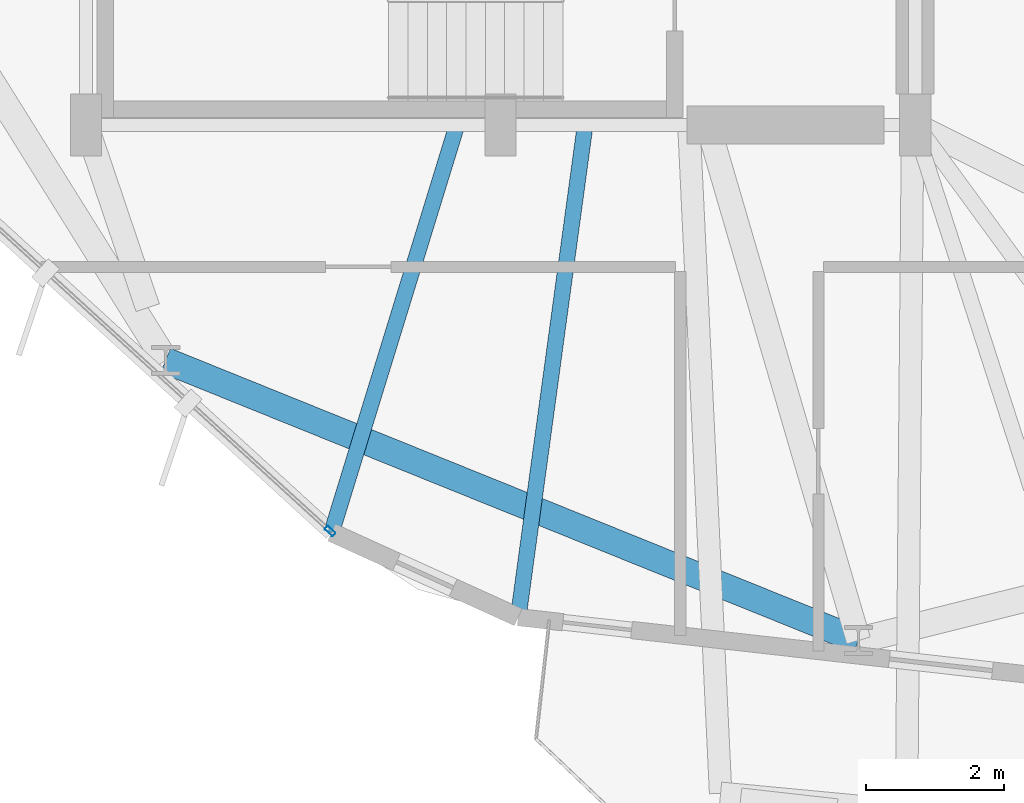
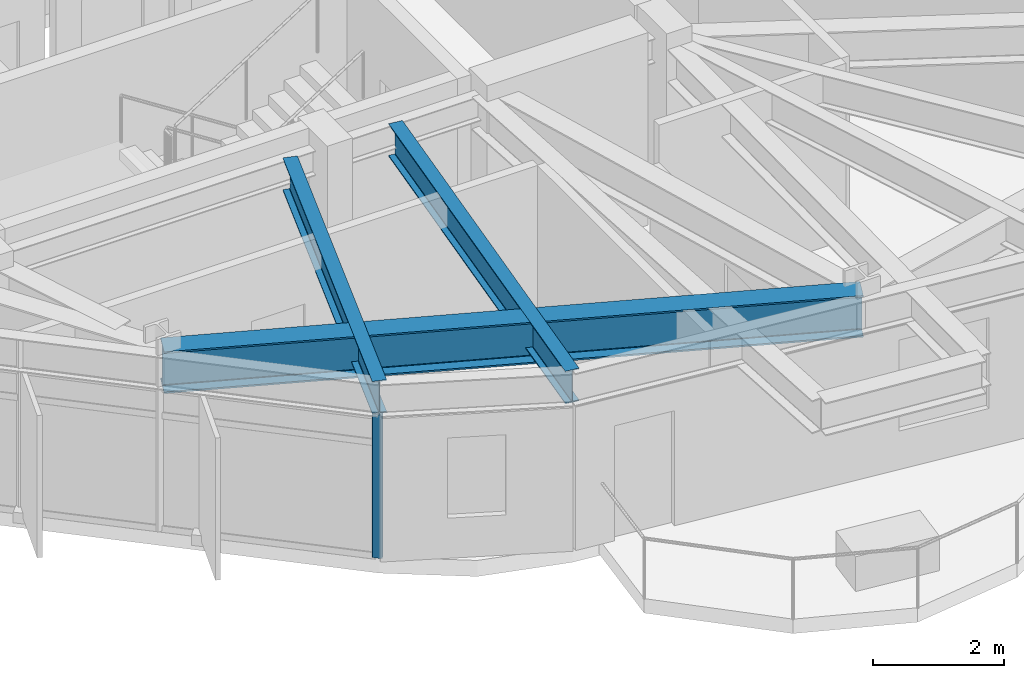
# One storey, part 2 of 22: 3 beams, 1 member, 1 element without a shape of its own.
"""IFC4 building model written with IfcOpenShell, lengths in metres."""

import ifcopenshell
import ifcopenshell.guid

model = None  # the IFC model being written
_history = None  # IfcOwnerHistory: only IFC2X3 demands one
_inside = {}  # id of a spatial element -> (the spatial element, [elements in it])
_under = {}  # id of a project, library or spatial element -> (it, [spatial elements below it])
_declared = {}  # id of a project -> (the project, [libraries it declares])
_typed = {}  # id of a type object -> (the type object, [elements of that type])
_made_of = {}  # id of a material, layer set ... -> (it, [elements and type objects made of it])


def new_model(schema):
    """Start an empty IFC model of exactly this schema.

    Asked for "IFC4X3", IfcOpenShell would pick the latest addendum, in which some entities
    have other attributes; the version numbers below select the first issue.
    IFC2X3 requires an IfcOwnerHistory on every rooted entity: one is made here for all.
    """
    global model, _history
    if schema == "IFC4X3":
        model = ifcopenshell.file(schema_version=(4, 3, 0, 0))
    else:
        model = ifcopenshell.file(schema=schema)
    _inside.clear()
    _under.clear()
    _declared.clear()
    _typed.clear()
    _made_of.clear()
    _history = None
    if model.schema == "IFC2X3":
        org = make("IfcOrganization", Name="unknown")
        user = make(
            "IfcPersonAndOrganization",
            ThePerson=make("IfcPerson", FamilyName="unknown"),
            TheOrganization=org,
        )
        app = make(
            "IfcApplication",
            ApplicationDeveloper=org,
            Version="unknown",
            ApplicationFullName="unknown",
            ApplicationIdentifier="unknown",
        )
        _history = make(
            "IfcOwnerHistory",
            OwningUser=user,
            OwningApplication=app,
            ChangeAction="ADDED",
            CreationDate=0,
        )
    return model


def make(cls, **values):
    """One entity of the class cls with the attributes given. An attribute that is None is left unset."""
    return model.create_entity(
        cls, **{name: value for name, value in values.items() if value is not None}
    )


def rooted(cls, **values):
    """An entity with a GlobalId (a new one), such as an element, a storey or a relation."""
    return make(cls, GlobalId=ifcopenshell.guid.new(), OwnerHistory=_history, **values)


def si_unit(unit_type, name, prefix=None):
    """IfcSIUnit, for example si_unit("LENGTHUNIT", "METRE", prefix="MILLI")."""
    return make("IfcSIUnit", UnitType=unit_type, Prefix=prefix, Name=name)


def assignment(units):
    """IfcUnitAssignment: the units of a project."""
    return None if units is None else make("IfcUnitAssignment", Units=units)


def point(xyz):
    """IfcCartesianPoint."""
    return None if xyz is None else make("IfcCartesianPoint", Coordinates=xyz)


def direction(xyz):
    """IfcDirection."""
    return None if xyz is None else make("IfcDirection", DirectionRatios=xyz)


def frame(location, z_axis=None, x_axis=None):
    """IfcAxis2Placement3D, a coordinate frame: its origin and axes. An axis left out is left unset."""
    return make(
        "IfcAxis2Placement3D",
        Location=point(location),
        Axis=direction(z_axis),
        RefDirection=direction(x_axis),
    )


def frame_2d(location, x_axis=None):
    """IfcAxis2Placement2D, a coordinate frame in the plane: its origin and x axis."""
    return make(
        "IfcAxis2Placement2D", Location=point(location), RefDirection=direction(x_axis)
    )


def origin():
    """The frame at (0, 0, 0) with its axes left unset."""
    return frame((0.0, 0.0, 0.0))


def origin_2d():
    """The frame at (0, 0) in the plane with its x axis left unset."""
    return frame_2d((0.0, 0.0))


def place(relative_to, where):
    """IfcLocalPlacement: puts the frame where relative to a parent placement (None: the world)."""
    return make(
        "IfcLocalPlacement", PlacementRelTo=relative_to, RelativePlacement=where
    )


def context(
    kind, dimensions, precision=None, world=None, true_north=None, identifier=None
):
    """IfcGeometricRepresentationContext, for example the 3D "Model" context."""
    return make(
        "IfcGeometricRepresentationContext",
        ContextIdentifier=identifier,
        ContextType=kind,
        CoordinateSpaceDimension=dimensions,
        Precision=precision,
        WorldCoordinateSystem=world,
        TrueNorth=true_north,
    )


def subcontext(parent, identifier, kind, view, scale=None):
    """IfcGeometricRepresentationSubContext, for example "Body" below "Model"."""
    return make(
        "IfcGeometricRepresentationSubContext",
        ContextIdentifier=identifier,
        ContextType=kind,
        ParentContext=parent,
        TargetScale=scale,
        TargetView=view,
    )


def project(units=None, contexts=None):
    """IfcProject with its units and contexts."""
    return rooted(
        "IfcProject",
        Name="project",
        RepresentationContexts=contexts,
        UnitsInContext=assignment(units),
    )


def spatial(cls, under=None, at=None, **own):
    """A site, building, storey or space (cls), placed at a placement, below another one or the project."""
    s = rooted(cls, ObjectPlacement=at, **own)
    if under is not None:
        _under.setdefault(under.id(), (under, []))[1].append(s)
    return s


def profile(cls, at=None, kind="AREA", **sizes):
    """A parametric profile (cls). Its sizes go by their IFC names, for example OverallWidth=200.0."""
    return make(cls, ProfileType=kind, Position=at, **sizes)


def hollow_rectangle(**sizes):
    """IfcRectangleHollowProfileDef."""
    return profile("IfcRectangleHollowProfileDef", **sizes)


def i_section(**sizes):
    """IfcIShapeProfileDef."""
    return profile("IfcIShapeProfileDef", **sizes)


def extrude(swept, where, along, depth):
    """IfcExtrudedAreaSolid: the profile swept, set in the frame where, extruded along a direction by depth."""
    return make(
        "IfcExtrudedAreaSolid",
        SweptArea=swept,
        Position=where,
        ExtrudedDirection=direction(along),
        Depth=depth,
    )


def shape(context_of_items, identifier, shape_type, items):
    """IfcShapeRepresentation: the items that make up one representation, for example the "Body"."""
    return make(
        "IfcShapeRepresentation",
        ContextOfItems=context_of_items,
        RepresentationIdentifier=identifier,
        RepresentationType=shape_type,
        Items=items,
    )


def material(Name=None, Category=None):
    """IfcMaterial."""
    return make("IfcMaterial", Name=Name, Category=Category)


def layer(
    of_material, thickness, ventilated=None, Name=None, Category=None, Priority=None
):
    """IfcMaterialLayer: one layer of a wall or slab, of a material (None: an air gap)."""
    return make(
        "IfcMaterialLayer",
        Material=of_material,
        LayerThickness=thickness,
        IsVentilated=ventilated,
        Name=Name,
        Category=Category,
        Priority=Priority,
    )


def layer_set(layers, Name=None):
    """IfcMaterialLayerSet."""
    return make("IfcMaterialLayerSet", MaterialLayers=layers, LayerSetName=Name)


def material_profile(
    of_material, cross_section, Name=None, Category=None, Priority=None
):
    """IfcMaterialProfile: a cross section and its material."""
    return make(
        "IfcMaterialProfile",
        Name=Name,
        Material=of_material,
        Profile=cross_section,
        Priority=Priority,
        Category=Category,
    )


def profile_set(profiles, Name=None, composite=None):
    """IfcMaterialProfileSet."""
    return make(
        "IfcMaterialProfileSet",
        Name=Name,
        MaterialProfiles=profiles,
        CompositeProfile=composite,
    )


def made_of(thing, what):
    """Note that an element or type object is made of a material, layer set ...; save() writes the relation."""
    if what is not None:
        _made_of.setdefault(what.id(), (what, []))[1].append(thing)
    return thing


def type_object(cls, material=None, **own):
    """A type object (cls), such as IfcWallType, which elements share."""
    return made_of(rooted(cls, **own), material)


def element(
    cls,
    number,
    at=None,
    inside=None,
    cuts=None,
    type_object=None,
    material=None,
    context=None,
    identifier="Body",
    shape_type=None,
    held_by="IfcProductDefinitionShape",
    body=None,
    shapes=None,
    **own,
):
    """One element of the class cls, such as IfcWall. Its Tag is "e" and its number.

    at: its placement. inside: the storey or other place that contains it. cuts: it is an
    opening in that element (IfcRelVoidsElement). A single representation is given by context,
    identifier, shape_type and body (its items); several are given by shapes. held_by: the class
    of the entity that holds the representations. save() writes the other relations.
    """
    e = rooted(cls, Tag="e%d" % number, ObjectPlacement=at, **own)
    if body is not None:
        shapes = [shape(context, identifier, shape_type, body)]
    if shapes is not None:
        e.Representation = make(held_by, Representations=shapes)
    if inside is not None:
        _inside.setdefault(inside.id(), (inside, []))[1].append(e)
    if cuts is not None:
        rooted(
            "IfcRelVoidsElement", RelatingBuildingElement=cuts, RelatedOpeningElement=e
        )
    if type_object is not None:
        _typed.setdefault(type_object.id(), (type_object, []))[1].append(e)
    return made_of(e, material)


def aggregate(whole, parts):
    """IfcRelAggregates: a whole, such as a stair, and the parts it consists of."""
    return rooted("IfcRelAggregates", RelatingObject=whole, RelatedObjects=parts)


def save(model, path):
    """Write the relations noted so far, then the file.

    IfcRelAggregates (storeys below a building ...), IfcRelContainedInSpatialStructure (elements
    in a storey), IfcRelDefinesByType, IfcRelAssociatesMaterial and IfcRelDeclares: one each for
    every whole, place, type object, material and project.
    """
    for whole, parts in _under.values():
        aggregate(whole, parts)
    for where, things in _inside.values():
        rooted(
            "IfcRelContainedInSpatialStructure",
            RelatedElements=things,
            RelatingStructure=where,
        )
    for kind, things in _typed.values():
        rooted("IfcRelDefinesByType", RelatedObjects=things, RelatingType=kind)
    for what, things in _made_of.values():
        rooted("IfcRelAssociatesMaterial", RelatedObjects=things, RelatingMaterial=what)
    for by, libraries in _declared.values():
        rooted("IfcRelDeclares", RelatingContext=by, RelatedDefinitions=libraries)
    model.write(path)


model = new_model("IFC4")

# Units and contexts
model_context = context("Model", 3, precision=1e-05, world=origin(), true_north=direction((0.0, 1.0)))
body_context = subcontext(model_context, "Body", "Model", "MODEL_VIEW")
ifc_project = project(units=[si_unit("LENGTHUNIT", "METRE"), si_unit("AREAUNIT", "SQUARE_METRE"), si_unit("VOLUMEUNIT", "CUBIC_METRE"), si_unit("PLANEANGLEUNIT", "RADIAN"), si_unit("MASSUNIT", "GRAM", prefix="KILO")], contexts=[model_context])

# Site, building, storey
site_placement = place(None, origin())
site = spatial("IfcSite", under=ifc_project, at=site_placement, CompositionType="ELEMENT")
building_placement = place(site_placement, origin())
building = spatial("IfcBuilding", under=site, at=building_placement, Name="Soratama Intermodal Tower", CompositionType="ELEMENT")
storey_placement = place(building_placement, frame((0.0, 0.0, 142.60009765625)))
storey = spatial("IfcBuildingStorey", under=building, at=storey_placement, Name="L34", CompositionType="ELEMENT", Elevation=142.60009765625)

# Beams
ifc_material_1 = material(Name="Structural steel ASTM A992 Grade 50", Category="steel")
ifc_material_profile_1 = material_profile(ifc_material_1, i_section(OverallWidth=0.382080078125, OverallDepth=0.779052734375, WebThickness=0.01806640625, FlangeThickness=0.030029296875, FilletRadius=0.01806640625, at=origin_2d()), Name="W30X191")
ifc_profile_set_1 = profile_set([ifc_material_profile_1], Name="Structural steel ASTM A992 Grade 50")
beam_type_1 = type_object("IfcBeamType", Name="BM-RING-W30X191", PredefinedType="BEAM", material=ifc_profile_set_1)
beam_1_placement = place(storey_placement, frame((33.7509765625, 11.593994140625, 2.910400390625), z_axis=(0.927202491827, -0.374560461275, 0.0), x_axis=(0.374560461275, 0.927202491827, 0.0)))
element("IfcBeam", 1, at=beam_1_placement, inside=storey, type_object=beam_type_1, Name="BM-L34-RING-07", PredefinedType="BEAM", context=body_context, shape_type="SweptSolid", body=[
    extrude(i_section(OverallWidth=0.382080078125, OverallDepth=0.779052734375, WebThickness=0.01806640625, FlangeThickness=0.030029296875, FilletRadius=0.01806640625, at=origin_2d()), origin(), (0.0, 0.0, 1.0), 10.8154296875),
])
ifc_material_2 = material(Name="Structural steel ASTM A992 Grade 50", Category="steel")
ifc_material_profile_2 = material_profile(ifc_material_2, i_section(OverallWidth=0.22900390625, OverallDepth=0.612060546875, WebThickness=0.011962890625, FlangeThickness=0.01953125, FilletRadius=0.012939453125, at=origin_2d()), Name="W24X84")
ifc_profile_set_2 = profile_set([ifc_material_profile_2], Name="Structural steel ASTM A992 Grade 50")
beam_type_2 = type_object("IfcBeamType", Name="BM-TIE-W24X84", PredefinedType="BEAM", material=ifc_profile_set_2)
beam_2_placement = place(storey_placement, frame((37.9560546875, 14.9619140625, 2.993896484375), z_axis=(-0.294066251322, -0.955785038507, 0.0), x_axis=(0.955785038507, -0.294066251322, 0.0)))
element("IfcBeam", 2, at=beam_2_placement, inside=storey, type_object=beam_type_2, Name="BM-L34-TIE1-06", PredefinedType="BEAM", context=body_context, shape_type="SweptSolid", body=[
    extrude(i_section(OverallWidth=0.22900390625, OverallDepth=0.612060546875, WebThickness=0.011962890625, FlangeThickness=0.01953125, FilletRadius=0.012939453125, at=origin_2d()), origin(), (0.0, 0.0, 1.0), 6.1279296875),
])
beam_3_placement = place(storey_placement, frame((39.818115234375, 14.9599609375, 2.993896484375), z_axis=(-0.134774750167, -0.990876262062, 0.0), x_axis=(0.990876262062, -0.134774750167, 0.0)))
element("IfcBeam", 3, at=beam_3_placement, inside=storey, type_object=beam_type_2, Name="BM-L34-TIE0-07", PredefinedType="BEAM", context=body_context, shape_type="SweptSolid", body=[
    extrude(i_section(OverallWidth=0.22900390625, OverallDepth=0.612060546875, WebThickness=0.011962890625, FlangeThickness=0.01953125, FilletRadius=0.012939453125, at=origin_2d()), origin(), (0.0, 0.0, 1.0), 7.146240234375),
])

# Curtain wall, member
ifc_material_3 = material(Name="Double-glazed aluminium curtain wall", Category="aluminium")
ifc_layer = layer(ifc_material_3, 0.159912109375)
ifc_layer_set = layer_set([ifc_layer], Name="Double-glazed aluminium curtain wall")
curtain_wall_type = type_object("IfcCurtainWallType", Name="CW-SYS-4", PredefinedType="NOTDEFINED", material=ifc_layer_set)
curtain_wall_placement = place(storey_placement, origin())
curtain_wall = element("IfcCurtainWall", 4, at=curtain_wall_placement, inside=storey, type_object=curtain_wall_type, Name="L34 Faceted Curtain Wall F06", PredefinedType="NOTDEFINED")
ifc_material_4 = material(Name="Anodised aluminium AA 6063-T6", Category="aluminium")
ifc_material_profile_3 = material_profile(ifc_material_4, hollow_rectangle(XDim=0.070068359375, YDim=0.159912109375, WallThickness=0.0048828125, InnerFilletRadius=0.0048828125, OuterFilletRadius=0.010009765625, at=origin_2d()), Name="CWM160X70X5")
ifc_profile_set_3 = profile_set([ifc_material_profile_3], Name="Anodised aluminium AA 6063-T6")
member_type = type_object("IfcMemberType", Name="MT-CWM-4", PredefinedType="MULLION", material=ifc_profile_set_3)
member_placement = place(storey_placement, frame((36.132080078125, 9.125732421875, 0.0), z_axis=(0.0, 0.0, 1.0), x_axis=(0.674559219776, 0.738220738678, 0.0)))
member = element("IfcMember", 5, at=member_placement, type_object=member_type, Name="CW-4 mullion 2", PredefinedType="MULLION", context=body_context, shape_type="SweptSolid", body=[
    extrude(hollow_rectangle(XDim=0.070068359375, YDim=0.159912109375, WallThickness=0.0048828125, InnerFilletRadius=0.0048828125, OuterFilletRadius=0.010009765625, at=origin_2d()), origin(), (0.0, 0.0, 1.0), 2.678955078125),
])
aggregate(curtain_wall, [member])

save(model, "model.ifc")
